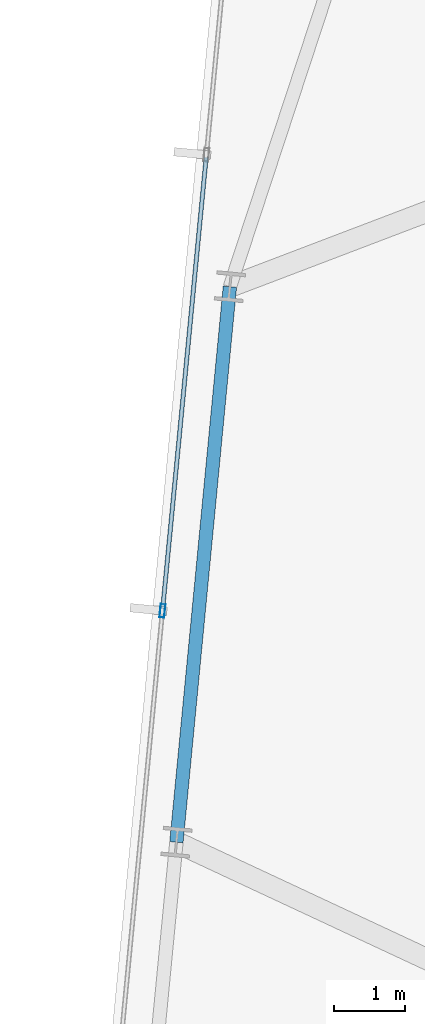
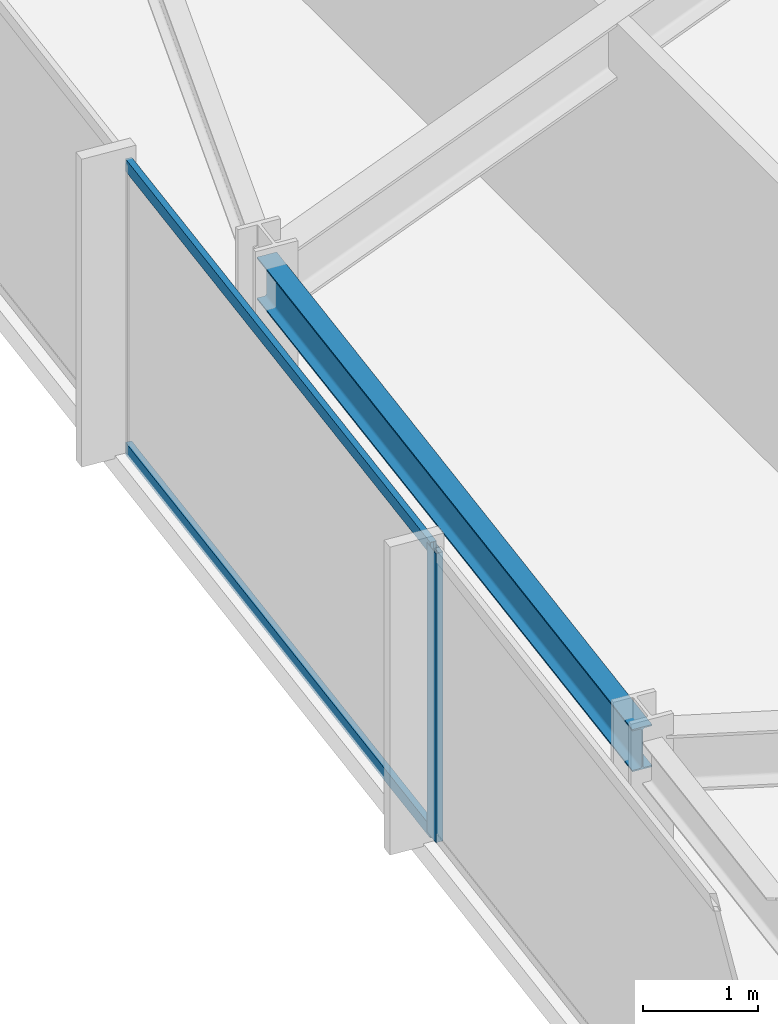
# One storey, part 10 of 37: 3 members, 1 beam, 1 element without a shape of its own.
"""IFC4 building model written with IfcOpenShell, lengths in metres."""

from ifc_helpers import new_model, si_unit, direction, frame, origin, origin_2d, place, context, subcontext, project, spatial, hollow_rectangle, i_section, extrude, material, material_profile, profile_set, type_object, element, aggregate, save


model = new_model("IFC4")

# Units and contexts
model_context = context("Model", 3, precision=1e-05, world=origin(), true_north=direction((0.0, 1.0)))
body_context = subcontext(model_context, "Body", "Model", "MODEL_VIEW")
ifc_project = project(units=[si_unit("LENGTHUNIT", "METRE"), si_unit("AREAUNIT", "SQUARE_METRE"), si_unit("VOLUMEUNIT", "CUBIC_METRE"), si_unit("PLANEANGLEUNIT", "RADIAN"), si_unit("MASSUNIT", "GRAM", prefix="KILO")], contexts=[model_context])

# Site, building, storey
site_placement = place(None, origin())
site = spatial("IfcSite", under=ifc_project, at=site_placement, CompositionType="ELEMENT")
building_placement = place(site_placement, origin())
building = spatial("IfcBuilding", under=site, at=building_placement, Name="Yelkora Congress Tower", CompositionType="ELEMENT")
storey_placement = place(building_placement, frame((0.0, 0.0, 168.800048828125)))
storey = spatial("IfcBuildingStorey", under=building, at=storey_placement, Name="L46", CompositionType="ELEMENT", Elevation=168.800048828125)

# Beam
ifc_material_1 = material(Name="Steel S355J2", Category="steel")
ifc_material_profile_1 = material_profile(ifc_material_1, i_section(OverallWidth=0.18994140625, OverallDepth=0.449951171875, WebThickness=0.009521484375, FlangeThickness=0.0146484375, FilletRadius=0.02099609375, at=origin_2d()), Name="IPE 450")
ifc_profile_set_1 = profile_set([ifc_material_profile_1], Name="Steel S355J2")
beam_type = type_object("IfcBeamType", Name="BM-SPAN-IPE450", PredefinedType="SPANDREL", material=ifc_profile_set_1)
beam_placement = place(storey_placement, frame((4.121826171875, 40.4580078125, 2.85498046875), z_axis=(-0.095864922257, -0.995394352345, 0.0), x_axis=(0.995394352345, -0.095864922257, 0.0)))
element("IfcBeam", 1, at=beam_placement, inside=storey, type_object=beam_type, Name="L46 Perimeter Beam 17", PredefinedType="SPANDREL", context=body_context, shape_type="SweptSolid", body=[
    extrude(i_section(OverallWidth=0.18994140625, OverallDepth=0.449951171875, WebThickness=0.009521484375, FlangeThickness=0.0146484375, FilletRadius=0.02099609375, at=origin_2d()), origin(), (0.0, 0.0, 1.0), 7.89990234375),
])

# Curtain wall, members
ifc_material_2 = material(Name="Anodised aluminium and insulated glass", Category="aluminium")
curtain_wall_type = type_object("IfcCurtainWallType", Name="CW-SYS-B3", PredefinedType="NOTDEFINED", material=ifc_material_2)
curtain_wall_placement = place(storey_placement, origin())
curtain_wall = element("IfcCurtainWall", 2, at=curtain_wall_placement, inside=storey, type_object=curtain_wall_type, Name="L46 Unitised Curtain Wall 5", PredefinedType="NOTDEFINED")
ifc_material_3 = material(Name="Anodised aluminium 6063-T6", Category="aluminium")
ifc_material_profile_2 = material_profile(ifc_material_3, hollow_rectangle(XDim=0.070068359375, YDim=0.18994140625, WallThickness=0.00390625, at=origin_2d()), Name="ALU 70x190x4")
ifc_profile_set_2 = profile_set([ifc_material_profile_2], Name="Anodised aluminium 6063-T6")
member_type_1 = type_object("IfcMemberType", Name="MEM-ML-B3", PredefinedType="MULLION", material=ifc_profile_set_2)
member_1_placement = place(storey_placement, frame((3.167724609375, 35.870361328125, 0.0), z_axis=(0.0, 0.0, 1.0), x_axis=(-0.995396242473, 0.095845294465, 0.0)))
member_1 = element("IfcMember", 3, at=member_1_placement, type_object=member_type_1, Name="CW-B3 mullion 4", PredefinedType="MULLION", context=body_context, shape_type="SweptSolid", body=[
    extrude(hollow_rectangle(XDim=0.070068359375, YDim=0.18994140625, WallThickness=0.00390625, at=origin_2d()), origin(), (0.0, 0.0, 1.0), 3.079833984375),
])
ifc_material_profile_3 = material_profile(ifc_material_3, hollow_rectangle(XDim=0.06005859375, YDim=0.1298828125, WallThickness=0.00390625, at=origin_2d()), Name="ALU 60x130x4")
ifc_profile_set_3 = profile_set([ifc_material_profile_3], Name="Anodised aluminium 6063-T6")
member_type_2 = type_object("IfcMemberType", Name="MEM-TR-B3", PredefinedType="USERDEFINED", material=ifc_profile_set_3)
member_2_placement = place(storey_placement, frame((3.171142578125, 35.9052734375, 0.030029296875), z_axis=(0.095847313538, 0.995396048057, 0.0), x_axis=(-0.995396048057, 0.095847313538, 0.0)))
member_2 = element("IfcMember", 4, at=member_2_placement, type_object=member_type_2, Name="CW-B3 transom 4.1", ObjectType="TRANSOM", PredefinedType="USERDEFINED", context=body_context, shape_type="SweptSolid", body=[
    extrude(hollow_rectangle(XDim=0.06005859375, YDim=0.1298828125, WallThickness=0.00390625, at=origin_2d()), origin(), (0.0, 0.0, 1.0), 6.413818359375),
])
member_3_placement = place(storey_placement, frame((3.171142578125, 35.9052734375, 3.050048828125), z_axis=(0.095847313538, 0.995396048057, 0.0), x_axis=(-0.995396048057, 0.095847313538, 0.0)))
member_3 = element("IfcMember", 5, at=member_3_placement, type_object=member_type_2, Name="CW-B3 transom 4.2", ObjectType="TRANSOM", PredefinedType="USERDEFINED", context=body_context, shape_type="SweptSolid", body=[
    extrude(hollow_rectangle(XDim=0.06005859375, YDim=0.1298828125, WallThickness=0.00390625, at=origin_2d()), origin(), (0.0, 0.0, 1.0), 6.413818359375),
])
aggregate(curtain_wall, [member_1, member_2, member_3])

save(model, "model.ifc")
